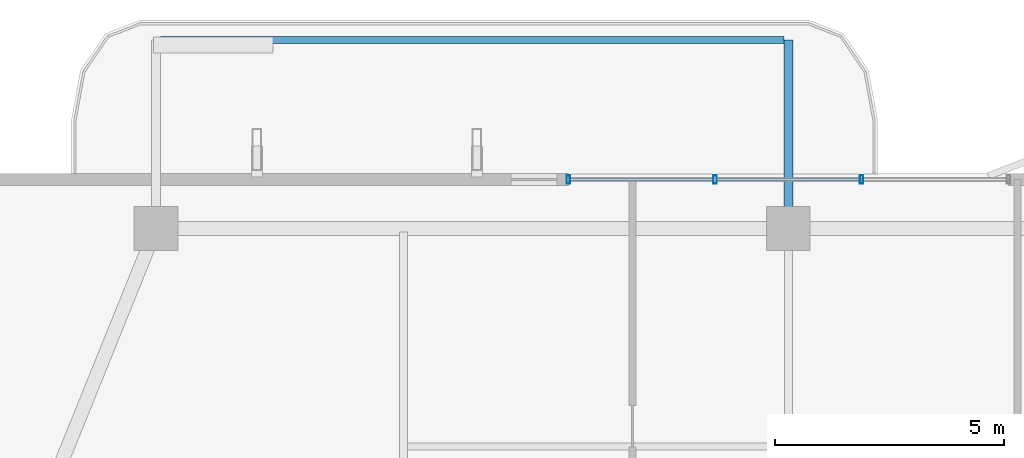
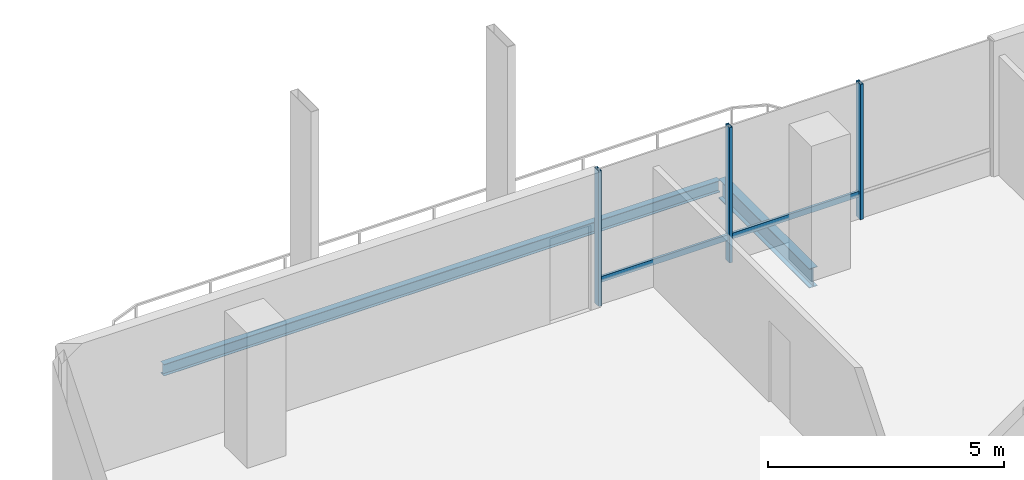
# One storey, part 13 of 25: 5 members, 2 beams, 1 element without a shape of its own.
"""IFC4 building model written with IfcOpenShell, lengths in metres."""

import ifcopenshell
import ifcopenshell.guid

model = None  # the IFC model being written
_history = None  # IfcOwnerHistory: only IFC2X3 demands one
_inside = {}  # id of a spatial element -> (the spatial element, [elements in it])
_under = {}  # id of a project, library or spatial element -> (it, [spatial elements below it])
_declared = {}  # id of a project -> (the project, [libraries it declares])
_typed = {}  # id of a type object -> (the type object, [elements of that type])
_made_of = {}  # id of a material, layer set ... -> (it, [elements and type objects made of it])


def new_model(schema):
    """Start an empty IFC model of exactly this schema.

    Asked for "IFC4X3", IfcOpenShell would pick the latest addendum, in which some entities
    have other attributes; the version numbers below select the first issue.
    IFC2X3 requires an IfcOwnerHistory on every rooted entity: one is made here for all.
    """
    global model, _history
    if schema == "IFC4X3":
        model = ifcopenshell.file(schema_version=(4, 3, 0, 0))
    else:
        model = ifcopenshell.file(schema=schema)
    _inside.clear()
    _under.clear()
    _declared.clear()
    _typed.clear()
    _made_of.clear()
    _history = None
    if model.schema == "IFC2X3":
        org = make("IfcOrganization", Name="unknown")
        user = make(
            "IfcPersonAndOrganization",
            ThePerson=make("IfcPerson", FamilyName="unknown"),
            TheOrganization=org,
        )
        app = make(
            "IfcApplication",
            ApplicationDeveloper=org,
            Version="unknown",
            ApplicationFullName="unknown",
            ApplicationIdentifier="unknown",
        )
        _history = make(
            "IfcOwnerHistory",
            OwningUser=user,
            OwningApplication=app,
            ChangeAction="ADDED",
            CreationDate=0,
        )
    return model


def make(cls, **values):
    """One entity of the class cls with the attributes given. An attribute that is None is left unset."""
    return model.create_entity(
        cls, **{name: value for name, value in values.items() if value is not None}
    )


def rooted(cls, **values):
    """An entity with a GlobalId (a new one), such as an element, a storey or a relation."""
    return make(cls, GlobalId=ifcopenshell.guid.new(), OwnerHistory=_history, **values)


def si_unit(unit_type, name, prefix=None):
    """IfcSIUnit, for example si_unit("LENGTHUNIT", "METRE", prefix="MILLI")."""
    return make("IfcSIUnit", UnitType=unit_type, Prefix=prefix, Name=name)


def assignment(units):
    """IfcUnitAssignment: the units of a project."""
    return None if units is None else make("IfcUnitAssignment", Units=units)


def point(xyz):
    """IfcCartesianPoint."""
    return None if xyz is None else make("IfcCartesianPoint", Coordinates=xyz)


def direction(xyz):
    """IfcDirection."""
    return None if xyz is None else make("IfcDirection", DirectionRatios=xyz)


def frame(location, z_axis=None, x_axis=None):
    """IfcAxis2Placement3D, a coordinate frame: its origin and axes. An axis left out is left unset."""
    return make(
        "IfcAxis2Placement3D",
        Location=point(location),
        Axis=direction(z_axis),
        RefDirection=direction(x_axis),
    )


def frame_2d(location, x_axis=None):
    """IfcAxis2Placement2D, a coordinate frame in the plane: its origin and x axis."""
    return make(
        "IfcAxis2Placement2D", Location=point(location), RefDirection=direction(x_axis)
    )


def origin():
    """The frame at (0, 0, 0) with its axes left unset."""
    return frame((0.0, 0.0, 0.0))


def origin_2d():
    """The frame at (0, 0) in the plane with its x axis left unset."""
    return frame_2d((0.0, 0.0))


def place(relative_to, where):
    """IfcLocalPlacement: puts the frame where relative to a parent placement (None: the world)."""
    return make(
        "IfcLocalPlacement", PlacementRelTo=relative_to, RelativePlacement=where
    )


def context(
    kind, dimensions, precision=None, world=None, true_north=None, identifier=None
):
    """IfcGeometricRepresentationContext, for example the 3D "Model" context."""
    return make(
        "IfcGeometricRepresentationContext",
        ContextIdentifier=identifier,
        ContextType=kind,
        CoordinateSpaceDimension=dimensions,
        Precision=precision,
        WorldCoordinateSystem=world,
        TrueNorth=true_north,
    )


def subcontext(parent, identifier, kind, view, scale=None):
    """IfcGeometricRepresentationSubContext, for example "Body" below "Model"."""
    return make(
        "IfcGeometricRepresentationSubContext",
        ContextIdentifier=identifier,
        ContextType=kind,
        ParentContext=parent,
        TargetScale=scale,
        TargetView=view,
    )


def project(units=None, contexts=None):
    """IfcProject with its units and contexts."""
    return rooted(
        "IfcProject",
        Name="project",
        RepresentationContexts=contexts,
        UnitsInContext=assignment(units),
    )


def spatial(cls, under=None, at=None, **own):
    """A site, building, storey or space (cls), placed at a placement, below another one or the project."""
    s = rooted(cls, ObjectPlacement=at, **own)
    if under is not None:
        _under.setdefault(under.id(), (under, []))[1].append(s)
    return s


def profile(cls, at=None, kind="AREA", **sizes):
    """A parametric profile (cls). Its sizes go by their IFC names, for example OverallWidth=200.0."""
    return make(cls, ProfileType=kind, Position=at, **sizes)


def hollow_rectangle(**sizes):
    """IfcRectangleHollowProfileDef."""
    return profile("IfcRectangleHollowProfileDef", **sizes)


def i_section(**sizes):
    """IfcIShapeProfileDef."""
    return profile("IfcIShapeProfileDef", **sizes)


def extrude(swept, where, along, depth):
    """IfcExtrudedAreaSolid: the profile swept, set in the frame where, extruded along a direction by depth."""
    return make(
        "IfcExtrudedAreaSolid",
        SweptArea=swept,
        Position=where,
        ExtrudedDirection=direction(along),
        Depth=depth,
    )


def shape(context_of_items, identifier, shape_type, items):
    """IfcShapeRepresentation: the items that make up one representation, for example the "Body"."""
    return make(
        "IfcShapeRepresentation",
        ContextOfItems=context_of_items,
        RepresentationIdentifier=identifier,
        RepresentationType=shape_type,
        Items=items,
    )


def material(Name=None, Category=None):
    """IfcMaterial."""
    return make("IfcMaterial", Name=Name, Category=Category)


def layer(
    of_material, thickness, ventilated=None, Name=None, Category=None, Priority=None
):
    """IfcMaterialLayer: one layer of a wall or slab, of a material (None: an air gap)."""
    return make(
        "IfcMaterialLayer",
        Material=of_material,
        LayerThickness=thickness,
        IsVentilated=ventilated,
        Name=Name,
        Category=Category,
        Priority=Priority,
    )


def layer_set(layers, Name=None):
    """IfcMaterialLayerSet."""
    return make("IfcMaterialLayerSet", MaterialLayers=layers, LayerSetName=Name)


def material_profile(
    of_material, cross_section, Name=None, Category=None, Priority=None
):
    """IfcMaterialProfile: a cross section and its material."""
    return make(
        "IfcMaterialProfile",
        Name=Name,
        Material=of_material,
        Profile=cross_section,
        Priority=Priority,
        Category=Category,
    )


def profile_set(profiles, Name=None, composite=None):
    """IfcMaterialProfileSet."""
    return make(
        "IfcMaterialProfileSet",
        Name=Name,
        MaterialProfiles=profiles,
        CompositeProfile=composite,
    )


def made_of(thing, what):
    """Note that an element or type object is made of a material, layer set ...; save() writes the relation."""
    if what is not None:
        _made_of.setdefault(what.id(), (what, []))[1].append(thing)
    return thing


def type_object(cls, material=None, **own):
    """A type object (cls), such as IfcWallType, which elements share."""
    return made_of(rooted(cls, **own), material)


def element(
    cls,
    number,
    at=None,
    inside=None,
    cuts=None,
    type_object=None,
    material=None,
    context=None,
    identifier="Body",
    shape_type=None,
    held_by="IfcProductDefinitionShape",
    body=None,
    shapes=None,
    **own,
):
    """One element of the class cls, such as IfcWall. Its Tag is "e" and its number.

    at: its placement. inside: the storey or other place that contains it. cuts: it is an
    opening in that element (IfcRelVoidsElement). A single representation is given by context,
    identifier, shape_type and body (its items); several are given by shapes. held_by: the class
    of the entity that holds the representations. save() writes the other relations.
    """
    e = rooted(cls, Tag="e%d" % number, ObjectPlacement=at, **own)
    if body is not None:
        shapes = [shape(context, identifier, shape_type, body)]
    if shapes is not None:
        e.Representation = make(held_by, Representations=shapes)
    if inside is not None:
        _inside.setdefault(inside.id(), (inside, []))[1].append(e)
    if cuts is not None:
        rooted(
            "IfcRelVoidsElement", RelatingBuildingElement=cuts, RelatedOpeningElement=e
        )
    if type_object is not None:
        _typed.setdefault(type_object.id(), (type_object, []))[1].append(e)
    return made_of(e, material)


def aggregate(whole, parts):
    """IfcRelAggregates: a whole, such as a stair, and the parts it consists of."""
    return rooted("IfcRelAggregates", RelatingObject=whole, RelatedObjects=parts)


def save(model, path):
    """Write the relations noted so far, then the file.

    IfcRelAggregates (storeys below a building ...), IfcRelContainedInSpatialStructure (elements
    in a storey), IfcRelDefinesByType, IfcRelAssociatesMaterial and IfcRelDeclares: one each for
    every whole, place, type object, material and project.
    """
    for whole, parts in _under.values():
        aggregate(whole, parts)
    for where, things in _inside.values():
        rooted(
            "IfcRelContainedInSpatialStructure",
            RelatedElements=things,
            RelatingStructure=where,
        )
    for kind, things in _typed.values():
        rooted("IfcRelDefinesByType", RelatedObjects=things, RelatingType=kind)
    for what, things in _made_of.values():
        rooted("IfcRelAssociatesMaterial", RelatedObjects=things, RelatingMaterial=what)
    for by, libraries in _declared.values():
        rooted("IfcRelDeclares", RelatingContext=by, RelatedDefinitions=libraries)
    model.write(path)


model = new_model("IFC4")

# Units and contexts
model_context = context("Model", 3, precision=1e-05, world=origin(), true_north=direction((0.0, 1.0)))
body_context = subcontext(model_context, "Body", "Model", "MODEL_VIEW")
ifc_project = project(units=[si_unit("LENGTHUNIT", "METRE"), si_unit("AREAUNIT", "SQUARE_METRE"), si_unit("VOLUMEUNIT", "CUBIC_METRE"), si_unit("PLANEANGLEUNIT", "RADIAN"), si_unit("MASSUNIT", "GRAM", prefix="KILO")], contexts=[model_context])

# Site, building, storey
site_placement = place(None, origin())
site = spatial("IfcSite", under=ifc_project, at=site_placement, CompositionType="ELEMENT")
building_placement = place(site_placement, origin())
building = spatial("IfcBuilding", under=site, at=building_placement, Name="Belovzor Exchange Tower", CompositionType="ELEMENT")
storey_placement = place(building_placement, frame((0.0, 0.0, 272.85009765625)))
storey = spatial("IfcBuildingStorey", under=building, at=storey_placement, Name="L68", CompositionType="ELEMENT", Elevation=272.85009765625)

# Beams
ifc_material_1 = material(Name="Steel S355", Category="steel")
ifc_material_profile_1 = material_profile(ifc_material_1, i_section(OverallWidth=0.199951171875, OverallDepth=0.5, WebThickness=0.01025390625, FlangeThickness=0.01611328125, at=origin_2d()))
ifc_profile_set_1 = profile_set([ifc_material_profile_1], Name="Steel S355")
beam_type_1 = type_object("IfcBeamType", Name="Planted Balcony Cantilever Beam IPE 500", PredefinedType="BEAM", material=ifc_profile_set_1)
beam_1_placement = place(storey_placement, frame((28.800048828125, 52.760986328125, -0.5), z_axis=(0.0, 1.0, 0.0), x_axis=(-1.0, 0.0, 0.0)))
element("IfcBeam", 1, at=beam_1_placement, inside=storey, type_object=beam_type_1, Name="BC-500 Planted Balcony Cantilever Beam IPE 500", PredefinedType="BEAM", context=body_context, shape_type="SweptSolid", body=[
    extrude(i_section(OverallWidth=0.199951171875, OverallDepth=0.5, WebThickness=0.01025390625, FlangeThickness=0.01611328125, at=origin_2d()), origin(), (0.0, 0.0, 1.0), 3.85009765625),
])
ifc_material_2 = material(Name="Steel S355", Category="steel")
ifc_material_profile_2 = material_profile(ifc_material_2, i_section(OverallWidth=0.14990234375, OverallDepth=0.300048828125, WebThickness=0.007080078125, FlangeThickness=0.0107421875, at=origin_2d()))
ifc_profile_set_2 = profile_set([ifc_material_profile_2], Name="Steel S355")
beam_type_2 = type_object("IfcBeamType", Name="Planted Balcony Fascia Edge Beam IPE 300", PredefinedType="BEAM", material=ifc_profile_set_2)
beam_2_placement = place(storey_placement, frame((28.699951171875, 56.611083984375, -0.400146484375), z_axis=(-1.0, 0.0, 0.0), x_axis=(0.0, -1.0, 0.0)))
element("IfcBeam", 2, at=beam_2_placement, inside=storey, type_object=beam_type_2, Name="BC-300 Planted Balcony Fascia Edge Beam IPE 300", PredefinedType="BEAM", context=body_context, shape_type="SweptSolid", body=[
    extrude(i_section(OverallWidth=0.14990234375, OverallDepth=0.300048828125, WebThickness=0.007080078125, FlangeThickness=0.0107421875, at=origin_2d()), origin(), (0.0, 0.0, 1.0), 13.599853515625),
])

# Curtain wall, members
ifc_material_3 = material(Name="Anodised Aluminium Framing", Category="aluminium")
ifc_layer = layer(ifc_material_3, 0.179931640625)
ifc_layer_set = layer_set([ifc_layer], Name="Anodised Aluminium Framing")
curtain_wall_type = type_object("IfcCurtainWallType", Name="Recessed Loggia Low-Iron Triple-Glazed Curtain Wall", PredefinedType="NOTDEFINED", material=ifc_layer_set)
curtain_wall_placement = place(storey_placement, origin())
curtain_wall = element("IfcCurtainWall", 3, at=curtain_wall_placement, inside=storey, type_object=curtain_wall_type, Name="CW3 Recessed Loggia Low-Iron Triple-Glazed Curtain Wall L68", PredefinedType="NOTDEFINED")
ifc_material_4 = material(Name="Steel S355", Category="steel")
ifc_material_profile_3 = material_profile(ifc_material_4, hollow_rectangle(XDim=0.074951171875, YDim=0.179931640625, WallThickness=0.0048828125, at=origin_2d()))
ifc_profile_set_3 = profile_set([ifc_material_profile_3], Name="Steel S355")
member_type_1 = type_object("IfcMemberType", Name="Thermally Broken Curtain Wall Mullion 180x75", PredefinedType="MULLION", material=ifc_profile_set_3)
member_1_placement = place(storey_placement, frame((24.0, 53.570068359375, 0.0), z_axis=(0.0, 0.0, 1.0), x_axis=(1.0, 0.0, 0.0)))
member_1 = element("IfcMember", 4, at=member_1_placement, type_object=member_type_1, Name="CW-M180 Curtain Wall Mullion 1", PredefinedType="MULLION", context=body_context, shape_type="SweptSolid", body=[
    extrude(hollow_rectangle(XDim=0.074951171875, YDim=0.179931640625, WallThickness=0.0048828125, at=origin_2d()), origin(), (0.0, 0.0, 1.0), 3.5),
])
member_2_placement = place(storey_placement, frame((27.199951171875, 53.570068359375, 0.0), z_axis=(0.0, 0.0, 1.0), x_axis=(1.0, 0.0, 0.0)))
member_2 = element("IfcMember", 5, at=member_2_placement, type_object=member_type_1, Name="CW-M180 Curtain Wall Mullion 2", PredefinedType="MULLION", context=body_context, shape_type="SweptSolid", body=[
    extrude(hollow_rectangle(XDim=0.074951171875, YDim=0.179931640625, WallThickness=0.0048828125, at=origin_2d()), origin(), (0.0, 0.0, 1.0), 3.5),
])
member_3_placement = place(storey_placement, frame((30.39990234375, 53.570068359375, 0.0), z_axis=(0.0, 0.0, 1.0), x_axis=(1.0, 0.0, 0.0)))
member_3 = element("IfcMember", 6, at=member_3_placement, type_object=member_type_1, Name="CW-M180 Curtain Wall Mullion 3", PredefinedType="MULLION", context=body_context, shape_type="SweptSolid", body=[
    extrude(hollow_rectangle(XDim=0.074951171875, YDim=0.179931640625, WallThickness=0.0048828125, at=origin_2d()), origin(), (0.0, 0.0, 1.0), 3.5),
])
ifc_material_5 = material(Name="Steel S355", Category="steel")
ifc_material_profile_4 = material_profile(ifc_material_5, hollow_rectangle(XDim=0.06005859375, YDim=0.14990234375, WallThickness=0.00390625, at=origin_2d()))
ifc_profile_set_4 = profile_set([ifc_material_profile_4], Name="Steel S355")
member_type_2 = type_object("IfcMemberType", Name="Thermally Broken Curtain Wall Transom 150x60", PredefinedType="USERDEFINED", material=ifc_profile_set_4)
member_4_placement = place(storey_placement, frame((24.008056640625, 53.570068359375, 0.6298828125), z_axis=(1.0, 0.0, 0.0), x_axis=(0.0, 1.0, 0.0)))
member_4 = element("IfcMember", 7, at=member_4_placement, type_object=member_type_2, Name="CW-T150 Curtain Wall Transom 1", ObjectType="TRANSOM", PredefinedType="USERDEFINED", context=body_context, shape_type="SweptSolid", body=[
    extrude(hollow_rectangle(XDim=0.06005859375, YDim=0.14990234375, WallThickness=0.00390625, at=origin_2d()), origin(), (0.0, 0.0, 1.0), 3.183837890625),
])
member_5_placement = place(storey_placement, frame((27.2080078125, 53.570068359375, 0.6298828125), z_axis=(1.0, 0.0, 0.0), x_axis=(0.0, 1.0, 0.0)))
member_5 = element("IfcMember", 8, at=member_5_placement, type_object=member_type_2, Name="CW-T150 Curtain Wall Transom 2", ObjectType="TRANSOM", PredefinedType="USERDEFINED", context=body_context, shape_type="SweptSolid", body=[
    extrude(hollow_rectangle(XDim=0.06005859375, YDim=0.14990234375, WallThickness=0.00390625, at=origin_2d()), origin(), (0.0, 0.0, 1.0), 3.18408203125),
])
aggregate(curtain_wall, [member_1, member_2, member_3, member_4, member_5])

save(model, "model.ifc")
